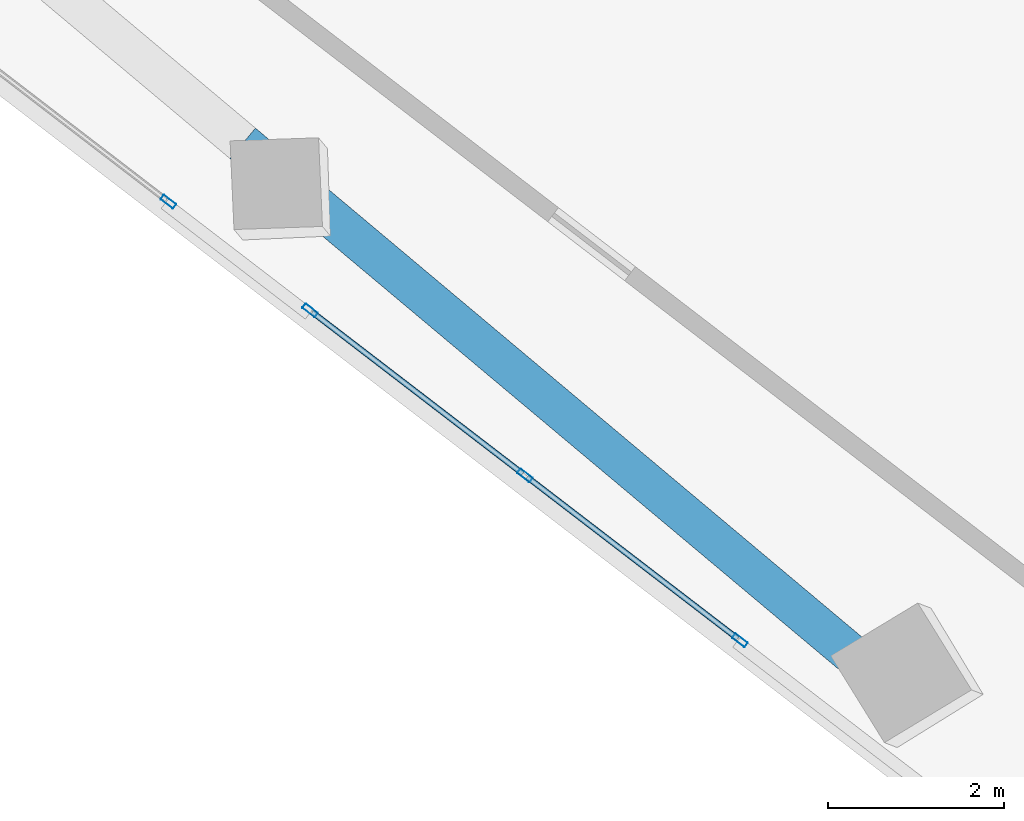
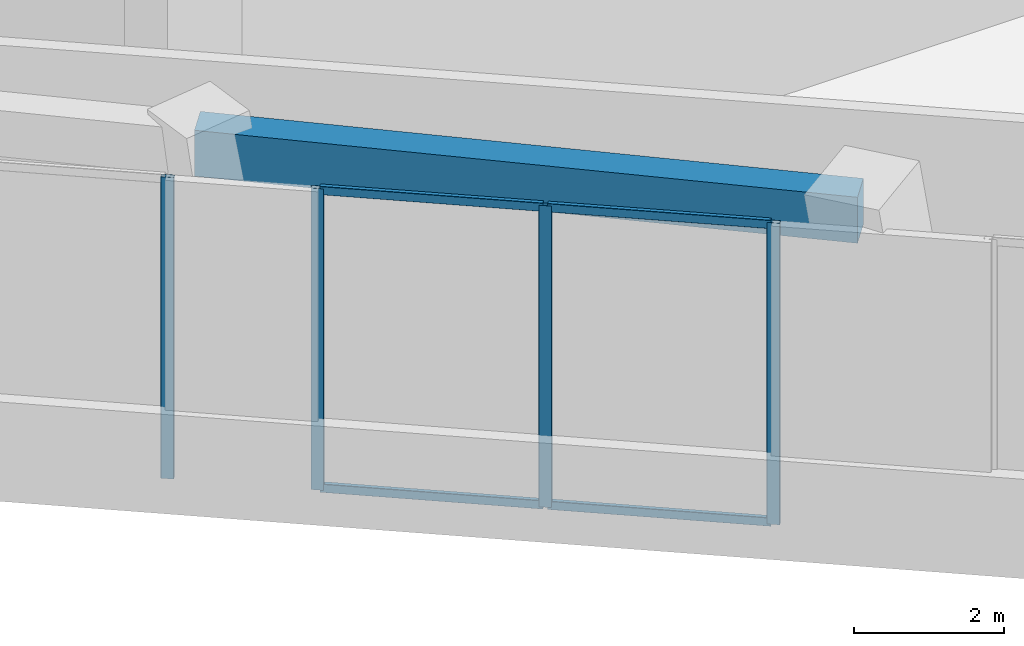
# One storey, part 2 of 22: 8 members, 1 beam, 2 elements without a shape of their own.
"""IFC4 building model written with IfcOpenShell, lengths in metres."""

import ifcopenshell
import ifcopenshell.guid

model = None  # the IFC model being written
_history = None  # IfcOwnerHistory: only IFC2X3 demands one
_inside = {}  # id of a spatial element -> (the spatial element, [elements in it])
_under = {}  # id of a project, library or spatial element -> (it, [spatial elements below it])
_declared = {}  # id of a project -> (the project, [libraries it declares])
_typed = {}  # id of a type object -> (the type object, [elements of that type])
_made_of = {}  # id of a material, layer set ... -> (it, [elements and type objects made of it])


def new_model(schema):
    """Start an empty IFC model of exactly this schema.

    Asked for "IFC4X3", IfcOpenShell would pick the latest addendum, in which some entities
    have other attributes; the version numbers below select the first issue.
    IFC2X3 requires an IfcOwnerHistory on every rooted entity: one is made here for all.
    """
    global model, _history
    if schema == "IFC4X3":
        model = ifcopenshell.file(schema_version=(4, 3, 0, 0))
    else:
        model = ifcopenshell.file(schema=schema)
    _inside.clear()
    _under.clear()
    _declared.clear()
    _typed.clear()
    _made_of.clear()
    _history = None
    if model.schema == "IFC2X3":
        org = make("IfcOrganization", Name="unknown")
        user = make(
            "IfcPersonAndOrganization",
            ThePerson=make("IfcPerson", FamilyName="unknown"),
            TheOrganization=org,
        )
        app = make(
            "IfcApplication",
            ApplicationDeveloper=org,
            Version="unknown",
            ApplicationFullName="unknown",
            ApplicationIdentifier="unknown",
        )
        _history = make(
            "IfcOwnerHistory",
            OwningUser=user,
            OwningApplication=app,
            ChangeAction="ADDED",
            CreationDate=0,
        )
    return model


def make(cls, **values):
    """One entity of the class cls with the attributes given. An attribute that is None is left unset."""
    return model.create_entity(
        cls, **{name: value for name, value in values.items() if value is not None}
    )


def rooted(cls, **values):
    """An entity with a GlobalId (a new one), such as an element, a storey or a relation."""
    return make(cls, GlobalId=ifcopenshell.guid.new(), OwnerHistory=_history, **values)


def si_unit(unit_type, name, prefix=None):
    """IfcSIUnit, for example si_unit("LENGTHUNIT", "METRE", prefix="MILLI")."""
    return make("IfcSIUnit", UnitType=unit_type, Prefix=prefix, Name=name)


def assignment(units):
    """IfcUnitAssignment: the units of a project."""
    return None if units is None else make("IfcUnitAssignment", Units=units)


def point(xyz):
    """IfcCartesianPoint."""
    return None if xyz is None else make("IfcCartesianPoint", Coordinates=xyz)


def direction(xyz):
    """IfcDirection."""
    return None if xyz is None else make("IfcDirection", DirectionRatios=xyz)


def frame(location, z_axis=None, x_axis=None):
    """IfcAxis2Placement3D, a coordinate frame: its origin and axes. An axis left out is left unset."""
    return make(
        "IfcAxis2Placement3D",
        Location=point(location),
        Axis=direction(z_axis),
        RefDirection=direction(x_axis),
    )


def frame_2d(location, x_axis=None):
    """IfcAxis2Placement2D, a coordinate frame in the plane: its origin and x axis."""
    return make(
        "IfcAxis2Placement2D", Location=point(location), RefDirection=direction(x_axis)
    )


def origin():
    """The frame at (0, 0, 0) with its axes left unset."""
    return frame((0.0, 0.0, 0.0))


def origin_2d():
    """The frame at (0, 0) in the plane with its x axis left unset."""
    return frame_2d((0.0, 0.0))


def place(relative_to, where):
    """IfcLocalPlacement: puts the frame where relative to a parent placement (None: the world)."""
    return make(
        "IfcLocalPlacement", PlacementRelTo=relative_to, RelativePlacement=where
    )


def context(
    kind, dimensions, precision=None, world=None, true_north=None, identifier=None
):
    """IfcGeometricRepresentationContext, for example the 3D "Model" context."""
    return make(
        "IfcGeometricRepresentationContext",
        ContextIdentifier=identifier,
        ContextType=kind,
        CoordinateSpaceDimension=dimensions,
        Precision=precision,
        WorldCoordinateSystem=world,
        TrueNorth=true_north,
    )


def subcontext(parent, identifier, kind, view, scale=None):
    """IfcGeometricRepresentationSubContext, for example "Body" below "Model"."""
    return make(
        "IfcGeometricRepresentationSubContext",
        ContextIdentifier=identifier,
        ContextType=kind,
        ParentContext=parent,
        TargetScale=scale,
        TargetView=view,
    )


def project(units=None, contexts=None):
    """IfcProject with its units and contexts."""
    return rooted(
        "IfcProject",
        Name="project",
        RepresentationContexts=contexts,
        UnitsInContext=assignment(units),
    )


def spatial(cls, under=None, at=None, **own):
    """A site, building, storey or space (cls), placed at a placement, below another one or the project."""
    s = rooted(cls, ObjectPlacement=at, **own)
    if under is not None:
        _under.setdefault(under.id(), (under, []))[1].append(s)
    return s


def profile(cls, at=None, kind="AREA", **sizes):
    """A parametric profile (cls). Its sizes go by their IFC names, for example OverallWidth=200.0."""
    return make(cls, ProfileType=kind, Position=at, **sizes)


def rectangle(**sizes):
    """IfcRectangleProfileDef."""
    return profile("IfcRectangleProfileDef", **sizes)


def hollow_rectangle(**sizes):
    """IfcRectangleHollowProfileDef."""
    return profile("IfcRectangleHollowProfileDef", **sizes)


def extrude(swept, where, along, depth):
    """IfcExtrudedAreaSolid: the profile swept, set in the frame where, extruded along a direction by depth."""
    return make(
        "IfcExtrudedAreaSolid",
        SweptArea=swept,
        Position=where,
        ExtrudedDirection=direction(along),
        Depth=depth,
    )


def shape(context_of_items, identifier, shape_type, items):
    """IfcShapeRepresentation: the items that make up one representation, for example the "Body"."""
    return make(
        "IfcShapeRepresentation",
        ContextOfItems=context_of_items,
        RepresentationIdentifier=identifier,
        RepresentationType=shape_type,
        Items=items,
    )


def source(mapping_origin, context_of_items, identifier, shape_type, items):
    """IfcRepresentationMap: a shape defined once, which mapped items show again and again."""
    return make(
        "IfcRepresentationMap",
        MappingOrigin=mapping_origin,
        MappedRepresentation=shape(context_of_items, identifier, shape_type, items),
    )


def transform(
    local_origin,
    x_axis=None,
    y_axis=None,
    z_axis=None,
    scale=None,
    scale2=None,
    scale3=None,
    uniform=True,
):
    """IfcCartesianTransformationOperator3D, or its non-uniform kind. x_axis, y_axis, z_axis: its Axis1, 2, 3."""
    if uniform:
        return make(
            "IfcCartesianTransformationOperator3D",
            Axis1=direction(x_axis),
            Axis2=direction(y_axis),
            LocalOrigin=point(local_origin),
            Scale=scale,
            Axis3=direction(z_axis),
        )
    return make(
        "IfcCartesianTransformationOperator3DnonUniform",
        Axis1=direction(x_axis),
        Axis2=direction(y_axis),
        LocalOrigin=point(local_origin),
        Scale=scale,
        Axis3=direction(z_axis),
        Scale2=scale2,
        Scale3=scale3,
    )


def mapped(mapping_source, mapping_target):
    """IfcMappedItem: shows the shape of a source again, moved by a transform."""
    return make(
        "IfcMappedItem", MappingSource=mapping_source, MappingTarget=mapping_target
    )


def material(Name=None, Category=None):
    """IfcMaterial."""
    return make("IfcMaterial", Name=Name, Category=Category)


def material_profile(
    of_material, cross_section, Name=None, Category=None, Priority=None
):
    """IfcMaterialProfile: a cross section and its material."""
    return make(
        "IfcMaterialProfile",
        Name=Name,
        Material=of_material,
        Profile=cross_section,
        Priority=Priority,
        Category=Category,
    )


def profile_set(profiles, Name=None, composite=None):
    """IfcMaterialProfileSet."""
    return make(
        "IfcMaterialProfileSet",
        Name=Name,
        MaterialProfiles=profiles,
        CompositeProfile=composite,
    )


def made_of(thing, what):
    """Note that an element or type object is made of a material, layer set ...; save() writes the relation."""
    if what is not None:
        _made_of.setdefault(what.id(), (what, []))[1].append(thing)
    return thing


def type_object(cls, material=None, **own):
    """A type object (cls), such as IfcWallType, which elements share."""
    return made_of(rooted(cls, **own), material)


def element(
    cls,
    number,
    at=None,
    inside=None,
    cuts=None,
    type_object=None,
    material=None,
    context=None,
    identifier="Body",
    shape_type=None,
    held_by="IfcProductDefinitionShape",
    body=None,
    shapes=None,
    **own,
):
    """One element of the class cls, such as IfcWall. Its Tag is "e" and its number.

    at: its placement. inside: the storey or other place that contains it. cuts: it is an
    opening in that element (IfcRelVoidsElement). A single representation is given by context,
    identifier, shape_type and body (its items); several are given by shapes. held_by: the class
    of the entity that holds the representations. save() writes the other relations.
    """
    e = rooted(cls, Tag="e%d" % number, ObjectPlacement=at, **own)
    if body is not None:
        shapes = [shape(context, identifier, shape_type, body)]
    if shapes is not None:
        e.Representation = make(held_by, Representations=shapes)
    if inside is not None:
        _inside.setdefault(inside.id(), (inside, []))[1].append(e)
    if cuts is not None:
        rooted(
            "IfcRelVoidsElement", RelatingBuildingElement=cuts, RelatedOpeningElement=e
        )
    if type_object is not None:
        _typed.setdefault(type_object.id(), (type_object, []))[1].append(e)
    return made_of(e, material)


def aggregate(whole, parts):
    """IfcRelAggregates: a whole, such as a stair, and the parts it consists of."""
    return rooted("IfcRelAggregates", RelatingObject=whole, RelatedObjects=parts)


def save(model, path):
    """Write the relations noted so far, then the file.

    IfcRelAggregates (storeys below a building ...), IfcRelContainedInSpatialStructure (elements
    in a storey), IfcRelDefinesByType, IfcRelAssociatesMaterial and IfcRelDeclares: one each for
    every whole, place, type object, material and project.
    """
    for whole, parts in _under.values():
        aggregate(whole, parts)
    for where, things in _inside.values():
        rooted(
            "IfcRelContainedInSpatialStructure",
            RelatedElements=things,
            RelatingStructure=where,
        )
    for kind, things in _typed.values():
        rooted("IfcRelDefinesByType", RelatedObjects=things, RelatingType=kind)
    for what, things in _made_of.values():
        rooted("IfcRelAssociatesMaterial", RelatedObjects=things, RelatingMaterial=what)
    for by, libraries in _declared.values():
        rooted("IfcRelDeclares", RelatingContext=by, RelatedDefinitions=libraries)
    model.write(path)


model = new_model("IFC4")

# Units and contexts
model_context = context("Model", 3, precision=1e-05, world=origin(), true_north=direction((0.0, 1.0)))
body_context = subcontext(model_context, "Body", "Model", "MODEL_VIEW")
ifc_project = project(units=[si_unit("LENGTHUNIT", "METRE"), si_unit("AREAUNIT", "SQUARE_METRE"), si_unit("VOLUMEUNIT", "CUBIC_METRE"), si_unit("PLANEANGLEUNIT", "RADIAN"), si_unit("MASSUNIT", "GRAM", prefix="KILO")], contexts=[model_context])

# Site, building, storey
site_placement = place(None, origin())
site = spatial("IfcSite", under=ifc_project, at=site_placement, CompositionType="ELEMENT")
building_placement = place(site_placement, origin())
building = spatial("IfcBuilding", under=site, at=building_placement, Name="Torre Montelarca", CompositionType="ELEMENT")
storey_placement = place(building_placement, frame((0.0, 0.0, 209.800048828125)))
storey = spatial("IfcBuildingStorey", under=building, at=storey_placement, Name="L47", CompositionType="ELEMENT", Elevation=209.800048828125)

# Beam
ifc_material_1 = material(Name="Concrete C55/67", Category="concrete")
ifc_material_profile_1 = material_profile(ifc_material_1, rectangle(XDim=0.449951171875, YDim=0.75, at=origin_2d()), Name="RCB450X750", Category="concrete")
ifc_profile_set_1 = profile_set([ifc_material_profile_1], Name="Concrete C55/67")
beam_type = type_object("IfcBeamType", Name="BM-SP-RC750-EXT", PredefinedType="SPANDREL", material=ifc_profile_set_1)
shared_shape_1 = source(origin(), body_context, "Body", "SweptSolid", [
    extrude(rectangle(XDim=0.449951171875, YDim=0.75, at=origin_2d()), origin(), (0.0, 0.0, 1.0), 8.999755859375),
])
beam_placement = place(storey_placement, frame((7.762939453125, 21.07373046875, 4.744873046875), z_axis=(0.766048911017, -0.642782285015, 0.0), x_axis=(0.642782285015, 0.766048911017, 0.0)))
element("IfcBeam", 1, at=beam_placement, inside=storey, type_object=beam_type, Name="L47 Grid Girder X 18.0-27.0 at Y=14.8", PredefinedType="SPANDREL", context=body_context, shape_type="MappedRepresentation", body=[
    mapped(shared_shape_1, transform((0.0, 0.0, 0.0), scale=1.0)),
])

# Curtain wall, member
ifc_material_2 = material(Name="Insulated low-E laminated glass", Category="glass")
curtain_wall_type = type_object("IfcCurtainWallType", Name="CW-SYS-Z2", PredefinedType="USERDEFINED", material=ifc_material_2)
curtain_wall_1_placement = place(storey_placement, origin())
curtain_wall_1 = element("IfcCurtainWall", 2, at=curtain_wall_1_placement, inside=storey, type_object=curtain_wall_type, Name="L47 Curtain Wall Run CW-T3-L47-E01-B1", ObjectType="UNITISED GLAZING", PredefinedType="USERDEFINED")
ifc_material_3 = material(Name="Anodised aluminium AA 6063-T6", Category="aluminium")
ifc_material_profile_2 = material_profile(ifc_material_3, hollow_rectangle(XDim=0.06494140625, YDim=0.179931640625, WallThickness=0.00390625, InnerFilletRadius=0.00390625, OuterFilletRadius=0.008056640625, at=origin_2d()), Name="ALU65X180X4", Category="aluminium")
ifc_profile_set_2 = profile_set([ifc_material_profile_2], Name="Anodised aluminium AA 6063-T6")
member_type_1 = type_object("IfcMemberType", Name="CWM-ALU180", PredefinedType="MULLION", material=ifc_profile_set_2)
shared_shape_2 = source(origin(), body_context, "Body", "SweptSolid", [
    extrude(hollow_rectangle(XDim=0.06494140625, YDim=0.179931640625, WallThickness=0.00390625, InnerFilletRadius=0.00390625, OuterFilletRadius=0.008056640625, at=origin_2d()), origin(), (0.0, 0.0, 1.0), 4.919921875),
])
member_1_placement = place(storey_placement, frame((6.919677734375, 20.4111328125, 0.0), z_axis=(0.0, 0.0, 1.0), x_axis=(0.608763691545, 0.793351604181, 0.0)))
member_1 = element("IfcMember", 3, at=member_1_placement, type_object=member_type_1, Name="CW mullion 3", PredefinedType="MULLION", context=body_context, shape_type="MappedRepresentation", body=[
    mapped(shared_shape_2, transform((0.0, 0.0, 0.0), scale=1.0)),
])
aggregate(curtain_wall_1, [member_1])

# Curtain wall, members
curtain_wall_2_placement = place(storey_placement, origin())
curtain_wall_2 = element("IfcCurtainWall", 4, at=curtain_wall_2_placement, inside=storey, type_object=curtain_wall_type, Name="L47 Curtain Wall Run CW-T3-L47-E01-B2", ObjectType="UNITISED GLAZING", PredefinedType="USERDEFINED")
member_2_placement = place(storey_placement, frame((8.5263671875, 19.178466796875, 0.0), z_axis=(0.0, 0.0, 1.0), x_axis=(0.60876315816, 0.793352013464, 0.0)))
member_2 = element("IfcMember", 5, at=member_2_placement, type_object=member_type_1, Name="CW mullion 1", PredefinedType="MULLION", context=body_context, shape_type="MappedRepresentation", body=[
    mapped(shared_shape_2, transform((0.0, 0.0, 0.0), scale=1.0)),
])
member_3_placement = place(storey_placement, frame((10.963623046875, 17.30810546875, 0.0), z_axis=(0.0, 0.0, 1.0), x_axis=(0.60876315816, 0.793352013464, 0.0)))
member_3 = element("IfcMember", 6, at=member_3_placement, type_object=member_type_1, Name="CW mullion 2", PredefinedType="MULLION", context=body_context, shape_type="MappedRepresentation", body=[
    mapped(shared_shape_2, transform((0.0, 0.0, 0.0), scale=1.0)),
])
member_4_placement = place(storey_placement, frame((13.401123046875, 15.43798828125, 0.0), z_axis=(0.0, 0.0, 1.0), x_axis=(0.60876315816, 0.793352013464, 0.0)))
member_4 = element("IfcMember", 7, at=member_4_placement, type_object=member_type_1, Name="CW mullion 3", PredefinedType="MULLION", context=body_context, shape_type="MappedRepresentation", body=[
    mapped(shared_shape_2, transform((0.0, 0.0, 0.0), scale=1.0)),
])
ifc_material_profile_3 = material_profile(ifc_material_3, hollow_rectangle(XDim=0.06494140625, YDim=0.139892578125, WallThickness=0.00390625, InnerFilletRadius=0.00390625, OuterFilletRadius=0.008056640625, at=origin_2d()), Name="ALU65X140X4", Category="aluminium")
ifc_profile_set_3 = profile_set([ifc_material_profile_3], Name="Anodised aluminium AA 6063-T6")
member_type_2 = type_object("IfcMemberType", Name="CWT-ALU140", PredefinedType="USERDEFINED", material=ifc_profile_set_3)
shared_shape_3 = source(origin(), body_context, "Body", "SweptSolid", [
    extrude(hollow_rectangle(XDim=0.06494140625, YDim=0.139892578125, WallThickness=0.00390625, InnerFilletRadius=0.00390625, OuterFilletRadius=0.008056640625, at=origin_2d()), origin(), (0.0, 0.0, 1.0), 3.00732421875),
])
member_5_placement = place(storey_placement, frame((8.552001953125, 19.15869140625, 0.032470703125), z_axis=(0.793326651212, -0.608796209316, 0.0), x_axis=(0.608796209316, 0.793326651212, 0.0)))
member_5 = element("IfcMember", 8, at=member_5_placement, type_object=member_type_2, Name="CW transom 1.1", ObjectType="TRANSOM", PredefinedType="USERDEFINED", context=body_context, shape_type="MappedRepresentation", body=[
    mapped(shared_shape_3, transform((0.0, 0.0, 0.0), scale=1.0)),
])
member_6_placement = place(storey_placement, frame((8.552001953125, 19.15869140625, 4.887451171875), z_axis=(0.793326651212, -0.608796209316, 0.0), x_axis=(0.608796209316, 0.793326651212, 0.0)))
member_6 = element("IfcMember", 9, at=member_6_placement, type_object=member_type_2, Name="CW transom 1.2", ObjectType="TRANSOM", PredefinedType="USERDEFINED", context=body_context, shape_type="MappedRepresentation", body=[
    mapped(shared_shape_3, transform((0.0, 0.0, 0.0), scale=1.0)),
])
shared_shape_4 = source(origin(), body_context, "Body", "SweptSolid", [
    extrude(hollow_rectangle(XDim=0.06494140625, YDim=0.139892578125, WallThickness=0.00390625, InnerFilletRadius=0.00390625, OuterFilletRadius=0.008056640625, at=origin_2d()), origin(), (0.0, 0.0, 1.0), 3.007080078125),
])
member_7_placement = place(storey_placement, frame((10.989501953125, 17.288330078125, 0.032470703125), z_axis=(0.793365861118, -0.608745111202, 0.0), x_axis=(0.608745111202, 0.793365861118, 0.0)))
member_7 = element("IfcMember", 10, at=member_7_placement, type_object=member_type_2, Name="CW transom 2.1", ObjectType="TRANSOM", PredefinedType="USERDEFINED", context=body_context, shape_type="MappedRepresentation", body=[
    mapped(shared_shape_4, transform((0.0, 0.0, 0.0), scale=1.0)),
])
member_8_placement = place(storey_placement, frame((10.989501953125, 17.288330078125, 4.887451171875), z_axis=(0.793365861118, -0.608745111202, 0.0), x_axis=(0.608745111202, 0.793365861118, 0.0)))
member_8 = element("IfcMember", 11, at=member_8_placement, type_object=member_type_2, Name="CW transom 2.2", ObjectType="TRANSOM", PredefinedType="USERDEFINED", context=body_context, shape_type="MappedRepresentation", body=[
    mapped(shared_shape_4, transform((0.0, 0.0, 0.0), scale=1.0)),
])
aggregate(curtain_wall_2, [member_2, member_3, member_4, member_5, member_6, member_7, member_8])

save(model, "model.ifc")
